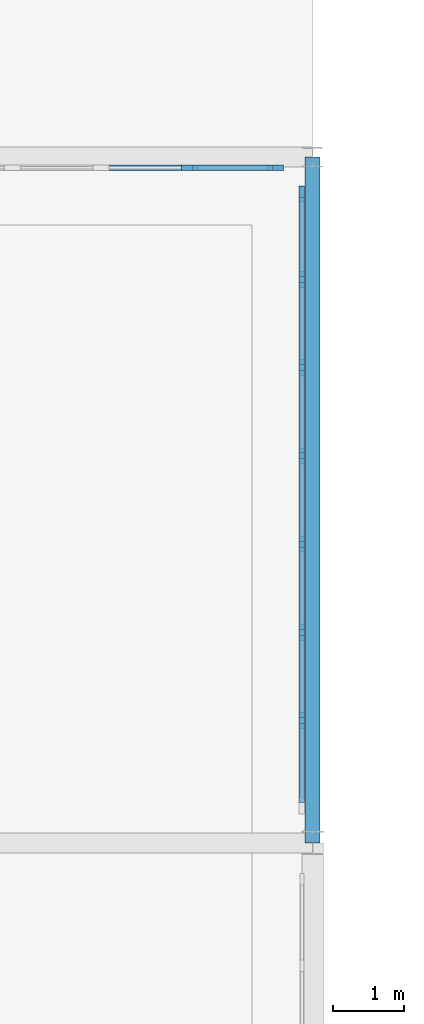
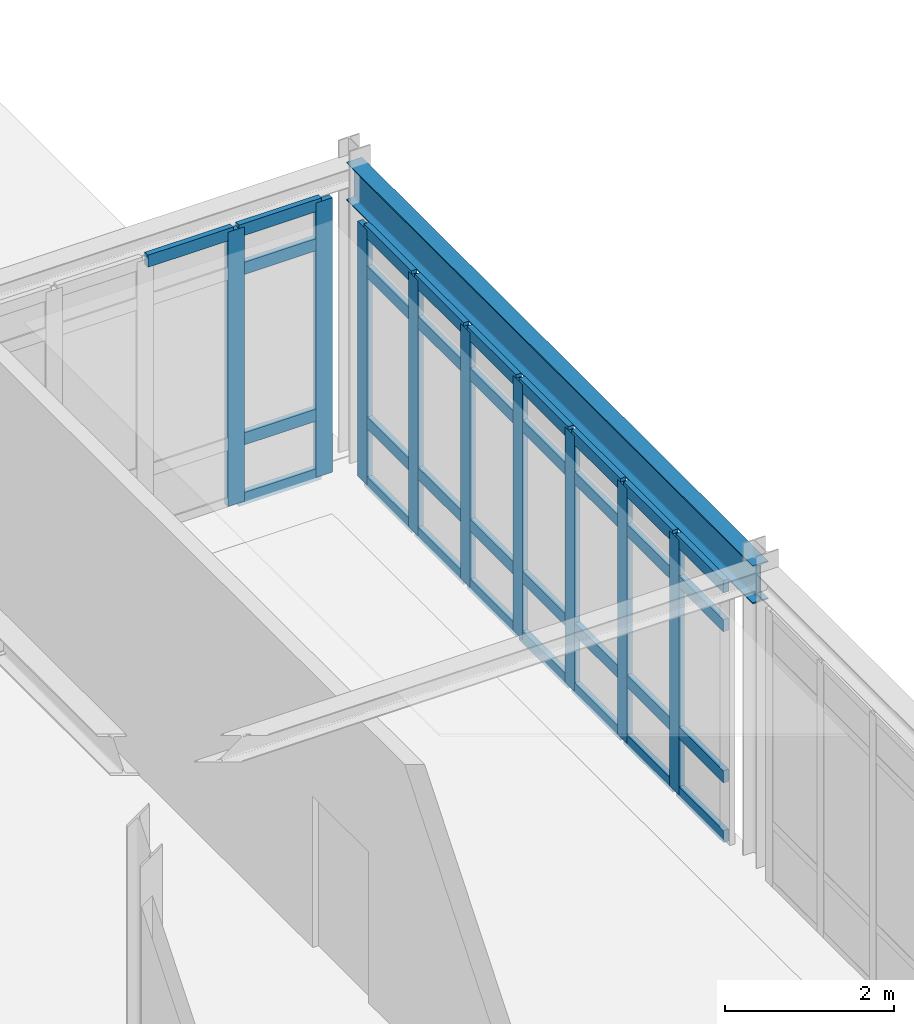
# One storey, part 57 of 101: 42 members, 1 beam, 2 elements without a shape of their own.
"""IFC4 building model written with IfcOpenShell, lengths in metres."""

from ifc_helpers import new_model, si_unit, derived_unit, direction, frame, origin, origin_2d, place, context, subcontext, project, spatial, rectangle, i_section, extrude, material, layer, layer_set, material_profile, profile_set, type_object, element, aggregate, save


model = new_model("IFC4")

# Units and contexts
model_context = context("Model", 3, precision=1e-05, world=origin(), true_north=direction((0.0, 1.0)))
body_context = subcontext(model_context, "Body", "Model", "MODEL_VIEW")
ifc_project = project(units=[si_unit("LENGTHUNIT", "METRE"), si_unit("AREAUNIT", "SQUARE_METRE"), si_unit("VOLUMEUNIT", "CUBIC_METRE"), si_unit("PLANEANGLEUNIT", "RADIAN"), si_unit("MASSUNIT", "GRAM", prefix="KILO"), derived_unit("THERMALTRANSMITTANCEUNIT", [(si_unit("POWERUNIT", "WATT"), 1), (si_unit("AREAUNIT", "SQUARE_METRE"), -1), (si_unit("THERMODYNAMICTEMPERATUREUNIT", "KELVIN"), -1)])], contexts=[model_context])

# Site, building, storey
site_placement = place(None, origin())
site = spatial("IfcSite", under=ifc_project, at=site_placement, CompositionType="ELEMENT")
building_placement = place(site_placement, origin())
building = spatial("IfcBuilding", under=site, at=building_placement, Name="Yasenodar Specialist Clinic", CompositionType="ELEMENT")
storey_placement = place(building_placement, origin())
storey = spatial("IfcBuildingStorey", under=building, at=storey_placement, Name="L00", CompositionType="ELEMENT", Elevation=0.0)

# Beam
ifc_material_1 = material(Name="Steel S355", Category="steel")
ifc_material_profile_1 = material_profile(ifc_material_1, i_section(OverallWidth=0.2099609375, OverallDepth=0.550048828125, WebThickness=0.010986328125, FlangeThickness=0.01708984375, FilletRadius=0.02392578125, at=origin_2d()), Name="IPE 550")
ifc_profile_set_1 = profile_set([ifc_material_profile_1], Name="Steel S355")
beam_type = type_object("IfcBeamType", Name="BM-IPE550", PredefinedType="BEAM", material=ifc_profile_set_1)
beam_placement = place(storey_placement, frame((138.60009765625, 25.199951171875, 3.97509765625), z_axis=(0.0, 1.0, 0.0), x_axis=(-1.0, 0.0, 0.0)))
element("IfcBeam", 1, at=beam_placement, inside=storey, type_object=beam_type, Name="L00 Primary N-S Girder", PredefinedType="BEAM", context=body_context, shape_type="SweptSolid", body=[
    extrude(i_section(OverallWidth=0.2099609375, OverallDepth=0.550048828125, WebThickness=0.010986328125, FlangeThickness=0.01708984375, FilletRadius=0.02392578125, at=origin_2d()), origin(), (0.0, 0.0, 1.0), 9.60009765625),
])

# Curtain wall, members
ifc_material_2 = material(Name="Bronze Anodized Aluminium and Triple Low-E Glass", Category="aluminium")
ifc_layer = layer(ifc_material_2, 0.178955078125)
ifc_layer_set = layer_set([ifc_layer], Name="Bronze Anodized Aluminium and Triple Low-E Glass")
curtain_wall_type = type_object("IfcCurtainWallType", Name="CW-SYS-02", PredefinedType="USERDEFINED", material=ifc_layer_set)
curtain_wall_1_placement = place(storey_placement, origin())
curtain_wall_1 = element("IfcCurtainWall", 2, at=curtain_wall_1_placement, inside=storey, type_object=curtain_wall_type, Name="L00 Unitised Curtain Wall 085", ObjectType="UNITISED CURTAIN WALL", PredefinedType="USERDEFINED")
ifc_material_3 = material(Name="Bronze Anodized Aluminium", Category="aluminium")
ifc_material_profile_2 = material_profile(ifc_material_3, rectangle(XDim=0.074951171875, YDim=0.22509765625, at=origin_2d()), Name="CW-MULL 75x225")
ifc_profile_set_2 = profile_set([ifc_material_profile_2], Name="Bronze Anodized Aluminium")
member_type_1 = type_object("IfcMemberType", Name="CW-MULL-225", PredefinedType="MULLION", material=ifc_profile_set_2)
member_1_placement = place(storey_placement, frame((136.8798828125, 34.64990234375, 0.0), z_axis=(0.0, 0.0, 1.0), x_axis=(0.0, 1.0, 0.0)))
member_1 = element("IfcMember", 3, at=member_1_placement, type_object=member_type_1, Name="CW-02 mullion 6", PredefinedType="MULLION", context=body_context, shape_type="SweptSolid", body=[
    extrude(rectangle(XDim=0.074951171875, YDim=0.22509765625, at=origin_2d()), origin(), (0.0, 0.0, 1.0), 3.9580078125),
])
member_2_placement = place(storey_placement, frame((138.08251953125, 34.64990234375, 0.0), z_axis=(0.0, 0.0, 1.0), x_axis=(0.0, 1.0, 0.0)))
member_2 = element("IfcMember", 4, at=member_2_placement, type_object=member_type_1, Name="CW-02 mullion 7", PredefinedType="MULLION", context=body_context, shape_type="SweptSolid", body=[
    extrude(rectangle(XDim=0.074951171875, YDim=0.22509765625, at=origin_2d()), origin(), (0.0, 0.0, 1.0), 3.9580078125),
])

curtain_wall_2_placement = place(storey_placement, origin())
curtain_wall_2 = element("IfcCurtainWall", 5, at=curtain_wall_2_placement, inside=storey, type_object=curtain_wall_type, Name="L00 Unitised Curtain Wall 090", ObjectType="UNITISED CURTAIN WALL", PredefinedType="USERDEFINED")
member_3_placement = place(storey_placement, frame((138.449951171875, 34.282470703125, 0.0), z_axis=(0.0, 0.0, 1.0), x_axis=(1.0, 0.0, 0.0)))
member_3 = element("IfcMember", 6, at=member_3_placement, type_object=member_type_1, Name="CW-02 mullion 1", PredefinedType="MULLION", context=body_context, shape_type="SweptSolid", body=[
    extrude(rectangle(XDim=0.074951171875, YDim=0.22509765625, at=origin_2d()), origin(), (0.0, 0.0, 1.0), 3.677978515625),
])
member_4_placement = place(storey_placement, frame((138.449951171875, 33.085693359375, 0.0), z_axis=(0.0, 0.0, 1.0), x_axis=(1.0, 0.0, 0.0)))
member_4 = element("IfcMember", 7, at=member_4_placement, type_object=member_type_1, Name="CW-02 mullion 2", PredefinedType="MULLION", context=body_context, shape_type="SweptSolid", body=[
    extrude(rectangle(XDim=0.074951171875, YDim=0.22509765625, at=origin_2d()), origin(), (0.0, 0.0, 1.0), 3.677978515625),
])
member_5_placement = place(storey_placement, frame((138.449951171875, 31.851318359375, 0.0), z_axis=(0.0, 0.0, 1.0), x_axis=(1.0, 0.0, 0.0)))
member_5 = element("IfcMember", 8, at=member_5_placement, type_object=member_type_1, Name="CW-02 mullion 3", PredefinedType="MULLION", context=body_context, shape_type="SweptSolid", body=[
    extrude(rectangle(XDim=0.074951171875, YDim=0.22509765625, at=origin_2d()), origin(), (0.0, 0.0, 1.0), 3.677978515625),
])
member_6_placement = place(storey_placement, frame((138.449951171875, 30.6171875, 0.0), z_axis=(0.0, 0.0, 1.0), x_axis=(1.0, 0.0, 0.0)))
member_6 = element("IfcMember", 9, at=member_6_placement, type_object=member_type_1, Name="CW-02 mullion 4", PredefinedType="MULLION", context=body_context, shape_type="SweptSolid", body=[
    extrude(rectangle(XDim=0.074951171875, YDim=0.22509765625, at=origin_2d()), origin(), (0.0, 0.0, 1.0), 3.677978515625),
])
member_7_placement = place(storey_placement, frame((138.449951171875, 29.3828125, 0.0), z_axis=(0.0, 0.0, 1.0), x_axis=(1.0, 0.0, 0.0)))
member_7 = element("IfcMember", 10, at=member_7_placement, type_object=member_type_1, Name="CW-02 mullion 5", PredefinedType="MULLION", context=body_context, shape_type="SweptSolid", body=[
    extrude(rectangle(XDim=0.074951171875, YDim=0.22509765625, at=origin_2d()), origin(), (0.0, 0.0, 1.0), 3.677978515625),
])
member_8_placement = place(storey_placement, frame((138.449951171875, 28.148681640625, 0.0), z_axis=(0.0, 0.0, 1.0), x_axis=(1.0, 0.0, 0.0)))
member_8 = element("IfcMember", 11, at=member_8_placement, type_object=member_type_1, Name="CW-02 mullion 6", PredefinedType="MULLION", context=body_context, shape_type="SweptSolid", body=[
    extrude(rectangle(XDim=0.074951171875, YDim=0.22509765625, at=origin_2d()), origin(), (0.0, 0.0, 1.0), 3.677978515625),
])
member_9_placement = place(storey_placement, frame((138.449951171875, 26.914306640625, 0.0), z_axis=(0.0, 0.0, 1.0), x_axis=(1.0, 0.0, 0.0)))
member_9 = element("IfcMember", 12, at=member_9_placement, type_object=member_type_1, Name="CW-02 mullion 7", PredefinedType="MULLION", context=body_context, shape_type="SweptSolid", body=[
    extrude(rectangle(XDim=0.074951171875, YDim=0.22509765625, at=origin_2d()), origin(), (0.0, 0.0, 1.0), 3.677978515625),
])

# Member
ifc_material_profile_3 = material_profile(ifc_material_3, rectangle(XDim=0.074951171875, YDim=0.175048828125, at=origin_2d()), Name="CW-TRAN 75x175")
ifc_profile_set_3 = profile_set([ifc_material_profile_3], Name="Bronze Anodized Aluminium")
member_type_2 = type_object("IfcMemberType", Name="CW-TRAN-175", PredefinedType="USERDEFINED", material=ifc_profile_set_3)
member_10_placement = place(storey_placement, frame((135.677490234375, 34.64990234375, 3.92041015625), z_axis=(1.0, 0.0, 0.0), x_axis=(0.0, 1.0, 0.0)))
member_10 = element("IfcMember", 13, at=member_10_placement, type_object=member_type_2, Name="CW-02 transom 5.4", ObjectType="TRANSOM", PredefinedType="USERDEFINED", context=body_context, shape_type="SweptSolid", body=[
    extrude(rectangle(XDim=0.074951171875, YDim=0.175048828125, at=origin_2d()), origin(), (0.0, 0.0, 1.0), 1.1650390625),
])

member_11_placement = place(storey_placement, frame((136.91748046875, 34.64990234375, 0.03759765625), z_axis=(1.0, 0.0, 0.0), x_axis=(0.0, 1.0, 0.0)))
member_11 = element("IfcMember", 14, at=member_11_placement, type_object=member_type_2, Name="CW-02 transom 6.1", ObjectType="TRANSOM", PredefinedType="USERDEFINED", context=body_context, shape_type="SweptSolid", body=[
    extrude(rectangle(XDim=0.074951171875, YDim=0.175048828125, at=origin_2d()), origin(), (0.0, 0.0, 1.0), 1.12744140625),
])

member_12_placement = place(storey_placement, frame((136.91748046875, 34.64990234375, 0.89990234375), z_axis=(1.0, 0.0, 0.0), x_axis=(0.0, 1.0, 0.0)))
member_12 = element("IfcMember", 15, at=member_12_placement, type_object=member_type_2, Name="CW-02 transom 6.2", ObjectType="TRANSOM", PredefinedType="USERDEFINED", context=body_context, shape_type="SweptSolid", body=[
    extrude(rectangle(XDim=0.074951171875, YDim=0.175048828125, at=origin_2d()), origin(), (0.0, 0.0, 1.0), 1.12744140625),
])

member_13_placement = place(storey_placement, frame((136.91748046875, 34.64990234375, 3.35791015625), z_axis=(1.0, 0.0, 0.0), x_axis=(0.0, 1.0, 0.0)))
member_13 = element("IfcMember", 16, at=member_13_placement, type_object=member_type_2, Name="CW-02 transom 6.3", ObjectType="TRANSOM", PredefinedType="USERDEFINED", context=body_context, shape_type="SweptSolid", body=[
    extrude(rectangle(XDim=0.074951171875, YDim=0.175048828125, at=origin_2d()), origin(), (0.0, 0.0, 1.0), 1.12744140625),
])

member_14_placement = place(storey_placement, frame((136.91748046875, 34.64990234375, 3.92041015625), z_axis=(1.0, 0.0, 0.0), x_axis=(0.0, 1.0, 0.0)))
member_14 = element("IfcMember", 17, at=member_14_placement, type_object=member_type_2, Name="CW-02 transom 6.4", ObjectType="TRANSOM", PredefinedType="USERDEFINED", context=body_context, shape_type="SweptSolid", body=[
    extrude(rectangle(XDim=0.074951171875, YDim=0.175048828125, at=origin_2d()), origin(), (0.0, 0.0, 1.0), 1.12744140625),
])

aggregate(curtain_wall_1, [member_1, member_2, member_10, member_11, member_12, member_13, member_14])

member_15_placement = place(storey_placement, frame((138.449951171875, 34.2451171875, 0.03759765625), z_axis=(0.0, -1.0, 0.0), x_axis=(1.0, 0.0, 0.0)))
member_15 = element("IfcMember", 18, at=member_15_placement, type_object=member_type_2, Name="CW-02 transom 1.1", ObjectType="TRANSOM", PredefinedType="USERDEFINED", context=body_context, shape_type="SweptSolid", body=[
    extrude(rectangle(XDim=0.074951171875, YDim=0.175048828125, at=origin_2d()), origin(), (0.0, 0.0, 1.0), 1.121826171875),
])

member_16_placement = place(storey_placement, frame((138.449951171875, 34.2451171875, 0.89990234375), z_axis=(0.0, -1.0, 0.0), x_axis=(1.0, 0.0, 0.0)))
member_16 = element("IfcMember", 19, at=member_16_placement, type_object=member_type_2, Name="CW-02 transom 1.2", ObjectType="TRANSOM", PredefinedType="USERDEFINED", context=body_context, shape_type="SweptSolid", body=[
    extrude(rectangle(XDim=0.074951171875, YDim=0.175048828125, at=origin_2d()), origin(), (0.0, 0.0, 1.0), 1.121826171875),
])

member_17_placement = place(storey_placement, frame((138.449951171875, 34.2451171875, 3.077880859375), z_axis=(0.0, -1.0, 0.0), x_axis=(1.0, 0.0, 0.0)))
member_17 = element("IfcMember", 20, at=member_17_placement, type_object=member_type_2, Name="CW-02 transom 1.3", ObjectType="TRANSOM", PredefinedType="USERDEFINED", context=body_context, shape_type="SweptSolid", body=[
    extrude(rectangle(XDim=0.074951171875, YDim=0.175048828125, at=origin_2d()), origin(), (0.0, 0.0, 1.0), 1.121826171875),
])

member_18_placement = place(storey_placement, frame((138.449951171875, 34.2451171875, 3.640380859375), z_axis=(0.0, -1.0, 0.0), x_axis=(1.0, 0.0, 0.0)))
member_18 = element("IfcMember", 21, at=member_18_placement, type_object=member_type_2, Name="CW-02 transom 1.4", ObjectType="TRANSOM", PredefinedType="USERDEFINED", context=body_context, shape_type="SweptSolid", body=[
    extrude(rectangle(XDim=0.074951171875, YDim=0.175048828125, at=origin_2d()), origin(), (0.0, 0.0, 1.0), 1.121826171875),
])

member_19_placement = place(storey_placement, frame((138.449951171875, 33.048095703125, 0.03759765625), z_axis=(0.0, -1.0, 0.0), x_axis=(1.0, 0.0, 0.0)))
member_19 = element("IfcMember", 22, at=member_19_placement, type_object=member_type_2, Name="CW-02 transom 2.1", ObjectType="TRANSOM", PredefinedType="USERDEFINED", context=body_context, shape_type="SweptSolid", body=[
    extrude(rectangle(XDim=0.074951171875, YDim=0.175048828125, at=origin_2d()), origin(), (0.0, 0.0, 1.0), 1.1591796875),
])

member_20_placement = place(storey_placement, frame((138.449951171875, 33.048095703125, 0.89990234375), z_axis=(0.0, -1.0, 0.0), x_axis=(1.0, 0.0, 0.0)))
member_20 = element("IfcMember", 23, at=member_20_placement, type_object=member_type_2, Name="CW-02 transom 2.2", ObjectType="TRANSOM", PredefinedType="USERDEFINED", context=body_context, shape_type="SweptSolid", body=[
    extrude(rectangle(XDim=0.074951171875, YDim=0.175048828125, at=origin_2d()), origin(), (0.0, 0.0, 1.0), 1.1591796875),
])

member_21_placement = place(storey_placement, frame((138.449951171875, 33.048095703125, 3.077880859375), z_axis=(0.0, -1.0, 0.0), x_axis=(1.0, 0.0, 0.0)))
member_21 = element("IfcMember", 24, at=member_21_placement, type_object=member_type_2, Name="CW-02 transom 2.3", ObjectType="TRANSOM", PredefinedType="USERDEFINED", context=body_context, shape_type="SweptSolid", body=[
    extrude(rectangle(XDim=0.074951171875, YDim=0.175048828125, at=origin_2d()), origin(), (0.0, 0.0, 1.0), 1.1591796875),
])

member_22_placement = place(storey_placement, frame((138.449951171875, 33.048095703125, 3.640380859375), z_axis=(0.0, -1.0, 0.0), x_axis=(1.0, 0.0, 0.0)))
member_22 = element("IfcMember", 25, at=member_22_placement, type_object=member_type_2, Name="CW-02 transom 2.4", ObjectType="TRANSOM", PredefinedType="USERDEFINED", context=body_context, shape_type="SweptSolid", body=[
    extrude(rectangle(XDim=0.074951171875, YDim=0.175048828125, at=origin_2d()), origin(), (0.0, 0.0, 1.0), 1.1591796875),
])

member_23_placement = place(storey_placement, frame((138.449951171875, 31.81396484375, 0.03759765625), z_axis=(0.0, -1.0, 0.0), x_axis=(1.0, 0.0, 0.0)))
member_23 = element("IfcMember", 26, at=member_23_placement, type_object=member_type_2, Name="CW-02 transom 3.1", ObjectType="TRANSOM", PredefinedType="USERDEFINED", context=body_context, shape_type="SweptSolid", body=[
    extrude(rectangle(XDim=0.074951171875, YDim=0.175048828125, at=origin_2d()), origin(), (0.0, 0.0, 1.0), 1.159423828125),
])

member_24_placement = place(storey_placement, frame((138.449951171875, 31.81396484375, 0.89990234375), z_axis=(0.0, -1.0, 0.0), x_axis=(1.0, 0.0, 0.0)))
member_24 = element("IfcMember", 27, at=member_24_placement, type_object=member_type_2, Name="CW-02 transom 3.2", ObjectType="TRANSOM", PredefinedType="USERDEFINED", context=body_context, shape_type="SweptSolid", body=[
    extrude(rectangle(XDim=0.074951171875, YDim=0.175048828125, at=origin_2d()), origin(), (0.0, 0.0, 1.0), 1.159423828125),
])

member_25_placement = place(storey_placement, frame((138.449951171875, 31.81396484375, 3.077880859375), z_axis=(0.0, -1.0, 0.0), x_axis=(1.0, 0.0, 0.0)))
member_25 = element("IfcMember", 28, at=member_25_placement, type_object=member_type_2, Name="CW-02 transom 3.3", ObjectType="TRANSOM", PredefinedType="USERDEFINED", context=body_context, shape_type="SweptSolid", body=[
    extrude(rectangle(XDim=0.074951171875, YDim=0.175048828125, at=origin_2d()), origin(), (0.0, 0.0, 1.0), 1.159423828125),
])

member_26_placement = place(storey_placement, frame((138.449951171875, 31.81396484375, 3.640380859375), z_axis=(0.0, -1.0, 0.0), x_axis=(1.0, 0.0, 0.0)))
member_26 = element("IfcMember", 29, at=member_26_placement, type_object=member_type_2, Name="CW-02 transom 3.4", ObjectType="TRANSOM", PredefinedType="USERDEFINED", context=body_context, shape_type="SweptSolid", body=[
    extrude(rectangle(XDim=0.074951171875, YDim=0.175048828125, at=origin_2d()), origin(), (0.0, 0.0, 1.0), 1.159423828125),
])

member_27_placement = place(storey_placement, frame((138.449951171875, 30.57958984375, 0.03759765625), z_axis=(0.0, -1.0, 0.0), x_axis=(1.0, 0.0, 0.0)))
member_27 = element("IfcMember", 30, at=member_27_placement, type_object=member_type_2, Name="CW-02 transom 4.1", ObjectType="TRANSOM", PredefinedType="USERDEFINED", context=body_context, shape_type="SweptSolid", body=[
    extrude(rectangle(XDim=0.074951171875, YDim=0.175048828125, at=origin_2d()), origin(), (0.0, 0.0, 1.0), 1.1591796875),
])

member_28_placement = place(storey_placement, frame((138.449951171875, 30.57958984375, 0.89990234375), z_axis=(0.0, -1.0, 0.0), x_axis=(1.0, 0.0, 0.0)))
member_28 = element("IfcMember", 31, at=member_28_placement, type_object=member_type_2, Name="CW-02 transom 4.2", ObjectType="TRANSOM", PredefinedType="USERDEFINED", context=body_context, shape_type="SweptSolid", body=[
    extrude(rectangle(XDim=0.074951171875, YDim=0.175048828125, at=origin_2d()), origin(), (0.0, 0.0, 1.0), 1.1591796875),
])

member_29_placement = place(storey_placement, frame((138.449951171875, 30.57958984375, 3.077880859375), z_axis=(0.0, -1.0, 0.0), x_axis=(1.0, 0.0, 0.0)))
member_29 = element("IfcMember", 32, at=member_29_placement, type_object=member_type_2, Name="CW-02 transom 4.3", ObjectType="TRANSOM", PredefinedType="USERDEFINED", context=body_context, shape_type="SweptSolid", body=[
    extrude(rectangle(XDim=0.074951171875, YDim=0.175048828125, at=origin_2d()), origin(), (0.0, 0.0, 1.0), 1.1591796875),
])

member_30_placement = place(storey_placement, frame((138.449951171875, 30.57958984375, 3.640380859375), z_axis=(0.0, -1.0, 0.0), x_axis=(1.0, 0.0, 0.0)))
member_30 = element("IfcMember", 33, at=member_30_placement, type_object=member_type_2, Name="CW-02 transom 4.4", ObjectType="TRANSOM", PredefinedType="USERDEFINED", context=body_context, shape_type="SweptSolid", body=[
    extrude(rectangle(XDim=0.074951171875, YDim=0.175048828125, at=origin_2d()), origin(), (0.0, 0.0, 1.0), 1.1591796875),
])

member_31_placement = place(storey_placement, frame((138.449951171875, 29.345458984375, 0.03759765625), z_axis=(0.0, -1.0, 0.0), x_axis=(1.0, 0.0, 0.0)))
member_31 = element("IfcMember", 34, at=member_31_placement, type_object=member_type_2, Name="CW-02 transom 5.1", ObjectType="TRANSOM", PredefinedType="USERDEFINED", context=body_context, shape_type="SweptSolid", body=[
    extrude(rectangle(XDim=0.074951171875, YDim=0.175048828125, at=origin_2d()), origin(), (0.0, 0.0, 1.0), 1.159423828125),
])

member_32_placement = place(storey_placement, frame((138.449951171875, 29.345458984375, 0.89990234375), z_axis=(0.0, -1.0, 0.0), x_axis=(1.0, 0.0, 0.0)))
member_32 = element("IfcMember", 35, at=member_32_placement, type_object=member_type_2, Name="CW-02 transom 5.2", ObjectType="TRANSOM", PredefinedType="USERDEFINED", context=body_context, shape_type="SweptSolid", body=[
    extrude(rectangle(XDim=0.074951171875, YDim=0.175048828125, at=origin_2d()), origin(), (0.0, 0.0, 1.0), 1.159423828125),
])

member_33_placement = place(storey_placement, frame((138.449951171875, 29.345458984375, 3.077880859375), z_axis=(0.0, -1.0, 0.0), x_axis=(1.0, 0.0, 0.0)))
member_33 = element("IfcMember", 36, at=member_33_placement, type_object=member_type_2, Name="CW-02 transom 5.3", ObjectType="TRANSOM", PredefinedType="USERDEFINED", context=body_context, shape_type="SweptSolid", body=[
    extrude(rectangle(XDim=0.074951171875, YDim=0.175048828125, at=origin_2d()), origin(), (0.0, 0.0, 1.0), 1.159423828125),
])

member_34_placement = place(storey_placement, frame((138.449951171875, 29.345458984375, 3.640380859375), z_axis=(0.0, -1.0, 0.0), x_axis=(1.0, 0.0, 0.0)))
member_34 = element("IfcMember", 37, at=member_34_placement, type_object=member_type_2, Name="CW-02 transom 5.4", ObjectType="TRANSOM", PredefinedType="USERDEFINED", context=body_context, shape_type="SweptSolid", body=[
    extrude(rectangle(XDim=0.074951171875, YDim=0.175048828125, at=origin_2d()), origin(), (0.0, 0.0, 1.0), 1.159423828125),
])

member_35_placement = place(storey_placement, frame((138.449951171875, 28.111083984375, 0.03759765625), z_axis=(0.0, -1.0, 0.0), x_axis=(1.0, 0.0, 0.0)))
member_35 = element("IfcMember", 38, at=member_35_placement, type_object=member_type_2, Name="CW-02 transom 6.1", ObjectType="TRANSOM", PredefinedType="USERDEFINED", context=body_context, shape_type="SweptSolid", body=[
    extrude(rectangle(XDim=0.074951171875, YDim=0.175048828125, at=origin_2d()), origin(), (0.0, 0.0, 1.0), 1.1591796875),
])

member_36_placement = place(storey_placement, frame((138.449951171875, 28.111083984375, 0.89990234375), z_axis=(0.0, -1.0, 0.0), x_axis=(1.0, 0.0, 0.0)))
member_36 = element("IfcMember", 39, at=member_36_placement, type_object=member_type_2, Name="CW-02 transom 6.2", ObjectType="TRANSOM", PredefinedType="USERDEFINED", context=body_context, shape_type="SweptSolid", body=[
    extrude(rectangle(XDim=0.074951171875, YDim=0.175048828125, at=origin_2d()), origin(), (0.0, 0.0, 1.0), 1.1591796875),
])

member_37_placement = place(storey_placement, frame((138.449951171875, 28.111083984375, 3.077880859375), z_axis=(0.0, -1.0, 0.0), x_axis=(1.0, 0.0, 0.0)))
member_37 = element("IfcMember", 40, at=member_37_placement, type_object=member_type_2, Name="CW-02 transom 6.3", ObjectType="TRANSOM", PredefinedType="USERDEFINED", context=body_context, shape_type="SweptSolid", body=[
    extrude(rectangle(XDim=0.074951171875, YDim=0.175048828125, at=origin_2d()), origin(), (0.0, 0.0, 1.0), 1.1591796875),
])

member_38_placement = place(storey_placement, frame((138.449951171875, 28.111083984375, 3.640380859375), z_axis=(0.0, -1.0, 0.0), x_axis=(1.0, 0.0, 0.0)))
member_38 = element("IfcMember", 41, at=member_38_placement, type_object=member_type_2, Name="CW-02 transom 6.4", ObjectType="TRANSOM", PredefinedType="USERDEFINED", context=body_context, shape_type="SweptSolid", body=[
    extrude(rectangle(XDim=0.074951171875, YDim=0.175048828125, at=origin_2d()), origin(), (0.0, 0.0, 1.0), 1.1591796875),
])

member_39_placement = place(storey_placement, frame((138.449951171875, 26.876708984375, 0.03759765625), z_axis=(0.0, -1.0, 0.0), x_axis=(1.0, 0.0, 0.0)))
member_39 = element("IfcMember", 42, at=member_39_placement, type_object=member_type_2, Name="CW-02 transom 7.1", ObjectType="TRANSOM", PredefinedType="USERDEFINED", context=body_context, shape_type="SweptSolid", body=[
    extrude(rectangle(XDim=0.074951171875, YDim=0.175048828125, at=origin_2d()), origin(), (0.0, 0.0, 1.0), 1.121826171875),
])

member_40_placement = place(storey_placement, frame((138.449951171875, 26.876708984375, 0.89990234375), z_axis=(0.0, -1.0, 0.0), x_axis=(1.0, 0.0, 0.0)))
member_40 = element("IfcMember", 43, at=member_40_placement, type_object=member_type_2, Name="CW-02 transom 7.2", ObjectType="TRANSOM", PredefinedType="USERDEFINED", context=body_context, shape_type="SweptSolid", body=[
    extrude(rectangle(XDim=0.074951171875, YDim=0.175048828125, at=origin_2d()), origin(), (0.0, 0.0, 1.0), 1.121826171875),
])

member_41_placement = place(storey_placement, frame((138.449951171875, 26.876708984375, 3.077880859375), z_axis=(0.0, -1.0, 0.0), x_axis=(1.0, 0.0, 0.0)))
member_41 = element("IfcMember", 44, at=member_41_placement, type_object=member_type_2, Name="CW-02 transom 7.3", ObjectType="TRANSOM", PredefinedType="USERDEFINED", context=body_context, shape_type="SweptSolid", body=[
    extrude(rectangle(XDim=0.074951171875, YDim=0.175048828125, at=origin_2d()), origin(), (0.0, 0.0, 1.0), 1.121826171875),
])

member_42_placement = place(storey_placement, frame((138.449951171875, 26.876708984375, 3.640380859375), z_axis=(0.0, -1.0, 0.0), x_axis=(1.0, 0.0, 0.0)))
member_42 = element("IfcMember", 45, at=member_42_placement, type_object=member_type_2, Name="CW-02 transom 7.4", ObjectType="TRANSOM", PredefinedType="USERDEFINED", context=body_context, shape_type="SweptSolid", body=[
    extrude(rectangle(XDim=0.074951171875, YDim=0.175048828125, at=origin_2d()), origin(), (0.0, 0.0, 1.0), 1.121826171875),
])

aggregate(curtain_wall_2, [member_3, member_4, member_5, member_6, member_7, member_8, member_9, member_15, member_16, member_17, member_18, member_19, member_20, member_21, member_22, member_23, member_24, member_25, member_26, member_27, member_28, member_29, member_30, member_31, member_32, member_33, member_34, member_35, member_36, member_37, member_38, member_39, member_40, member_41, member_42])

save(model, "model.ifc")
